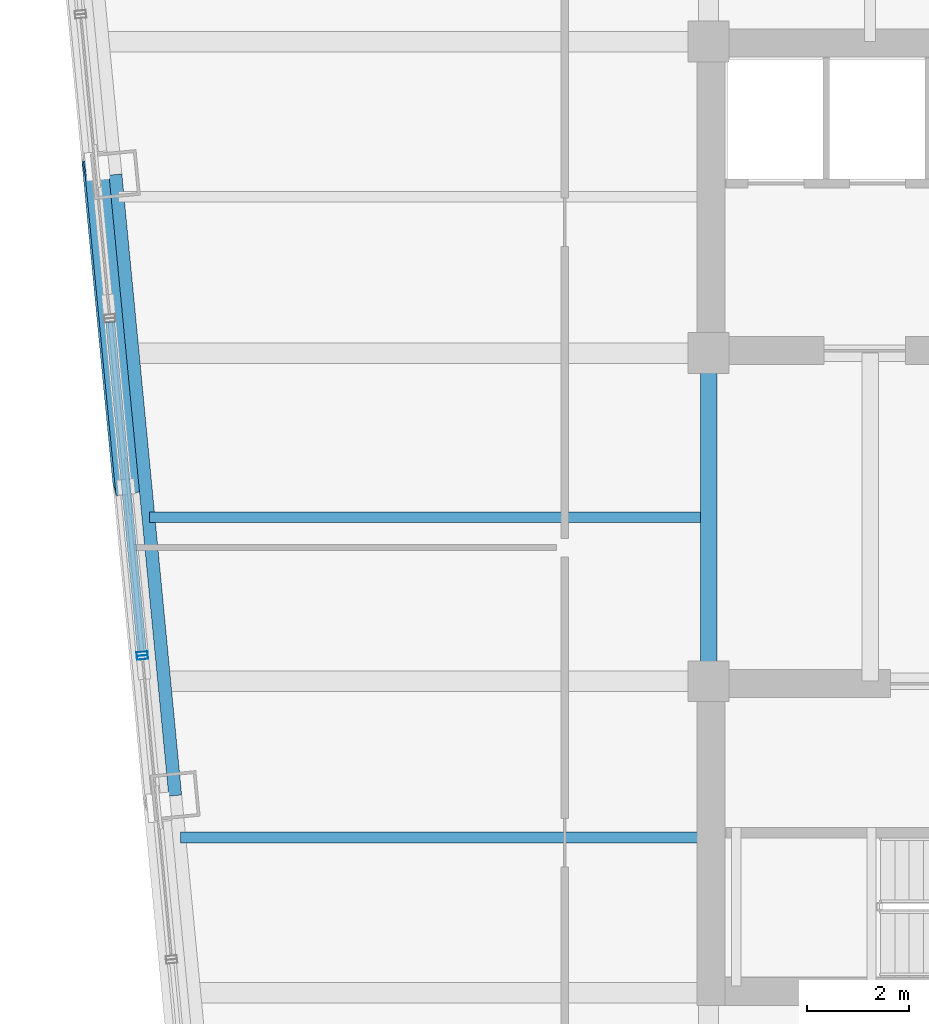
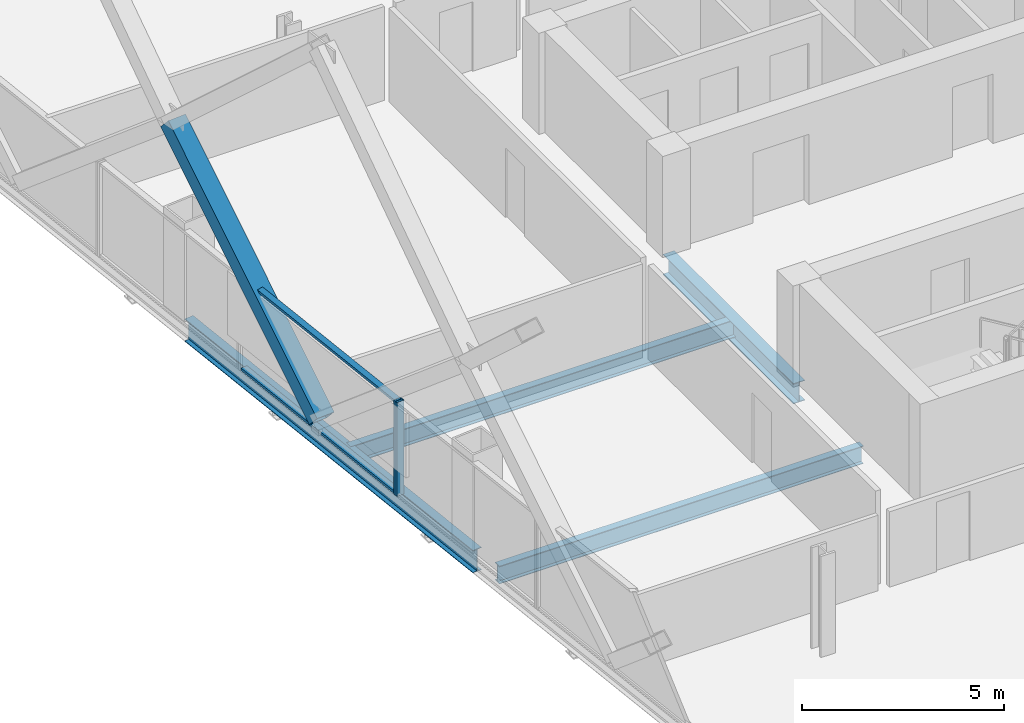
# One storey, part 9 of 32: 5 members, 4 beams, 2 elements without a shape of their own.
"""IFC4 building model written with IfcOpenShell, lengths in metres."""

from ifc_helpers import new_model, si_unit, direction, frame, origin, origin_2d, place, context, subcontext, project, spatial, hollow_rectangle, i_section, extrude, material, layer, layer_set, material_profile, profile_set, type_object, element, aggregate, save


model = new_model("IFC4")

# Units and contexts
model_context = context("Model", 3, precision=1e-05, world=origin(), true_north=direction((0.0, 1.0)))
body_context = subcontext(model_context, "Body", "Model", "MODEL_VIEW")
ifc_project = project(units=[si_unit("LENGTHUNIT", "METRE"), si_unit("AREAUNIT", "SQUARE_METRE"), si_unit("VOLUMEUNIT", "CUBIC_METRE"), si_unit("PLANEANGLEUNIT", "RADIAN"), si_unit("MASSUNIT", "GRAM", prefix="KILO")], contexts=[model_context])

# Site, building, storey
site_placement = place(None, origin())
site = spatial("IfcSite", under=ifc_project, at=site_placement, CompositionType="ELEMENT")
building_placement = place(site_placement, origin())
building = spatial("IfcBuilding", under=site, at=building_placement, Name="Qhalaya Broadcast Tower", CompositionType="ELEMENT")
storey_placement = place(building_placement, frame((0.0, 0.0, 81.64990234375)))
storey = spatial("IfcBuildingStorey", under=building, at=storey_placement, Name="L23", CompositionType="ELEMENT", Elevation=81.64990234375)

# Beams
ifc_material_1 = material(Name="Structural Steel ASTM A992 Grade 50", Category="steel")
ifc_material_profile_1 = material_profile(ifc_material_1, i_section(OverallWidth=0.2099609375, OverallDepth=0.535888671875, WebThickness=0.010986328125, FlangeThickness=0.017333984375, at=origin_2d()), Name="W21X68")
ifc_profile_set_1 = profile_set([ifc_material_profile_1], Name="Structural Steel ASTM A992 Grade 50")
beam_type_1 = type_object("IfcBeamType", Name="Composite Floor Joist J02", PredefinedType="JOIST", material=ifc_profile_set_1)
beam_1_placement = place(storey_placement, frame((-19.76171875, -5.699951171875, -0.48779296875), z_axis=(1.0, 0.0, 0.0), x_axis=(0.0, 1.0, 0.0)))
element("IfcBeam", 1, at=beam_1_placement, inside=storey, type_object=beam_type_1, Name="L23 J02 L23-JWE3W-1", PredefinedType="JOIST", context=body_context, shape_type="SweptSolid", body=[
    extrude(i_section(OverallWidth=0.2099609375, OverallDepth=0.535888671875, WebThickness=0.010986328125, FlangeThickness=0.017333984375, at=origin_2d()), origin(), (0.0, 0.0, 1.0), 10.38671875),
])
beam_2_placement = place(storey_placement, frame((-20.368408203125, 0.60009765625, -0.48779296875), z_axis=(1.0, 0.0, 0.0), x_axis=(0.0, 1.0, 0.0)))
element("IfcBeam", 2, at=beam_2_placement, inside=storey, type_object=beam_type_1, Name="L23 J02 L23-JWE4W-1", PredefinedType="JOIST", context=body_context, shape_type="SweptSolid", body=[
    extrude(i_section(OverallWidth=0.2099609375, OverallDepth=0.535888671875, WebThickness=0.010986328125, FlangeThickness=0.017333984375, at=origin_2d()), origin(), (0.0, 0.0, 1.0), 10.993408203125),
])
ifc_material_profile_2 = material_profile(ifc_material_1, i_section(OverallWidth=0.323974609375, OverallDepth=0.612060546875, WebThickness=0.0126953125, FlangeThickness=0.01904296875, at=origin_2d()), Name="W24X104")
ifc_profile_set_2 = profile_set([ifc_material_profile_2], Name="Structural Steel ASTM A992 Grade 50")
beam_type_2 = type_object("IfcBeamType", Name="Core Frame Tie Beam B04", PredefinedType="BEAM", material=ifc_profile_set_2)
beam_3_placement = place(storey_placement, frame((-9.375, -2.625, -0.52587890625), z_axis=(0.0, 1.0, 0.0), x_axis=(-1.0, 0.0, 0.0)))
element("IfcBeam", 3, at=beam_3_placement, inside=storey, type_object=beam_type_2, Name="L23 B04 L23-CCW", PredefinedType="BEAM", context=body_context, shape_type="SweptSolid", body=[
    extrude(i_section(OverallWidth=0.323974609375, OverallDepth=0.612060546875, WebThickness=0.0126953125, FlangeThickness=0.01904296875, at=origin_2d()), origin(), (0.0, 0.0, 1.0), 6.449951171875),
])

# Member
ifc_material_2 = material(Name="Structural Steel ASTM A572 Grade 50", Category="steel")
ifc_material_profile_3 = material_profile(ifc_material_2, hollow_rectangle(XDim=0.419921875, YDim=0.550048828125, WallThickness=0.028076171875, at=origin_2d()), Name="BOX 420x550x28")
ifc_profile_set_3 = profile_set([ifc_material_profile_3], Name="Structural Steel ASTM A572 Grade 50")
member_type_1 = type_object("IfcMemberType", Name="Exoskeleton Diamond Diagonal Mid-Low EX2", PredefinedType="BRACE", material=ifc_profile_set_3)
member_1_placement = place(storey_placement, frame((-20.78759765625, 1.197509765625, 0.360107421875), z_axis=(-0.073037413912, 0.758637209183, 0.647406457345), x_axis=(0.157160868222, -0.632274975342, 0.758636155912)))
element("IfcMember", 4, at=member_1_placement, inside=storey, type_object=member_type_1, Name="B2 Exoskeleton Diamond Brace W2-D1", PredefinedType="BRACE", context=body_context, shape_type="SweptSolid", body=[
    extrude(hollow_rectangle(XDim=0.419921875, YDim=0.550048828125, WallThickness=0.028076171875, at=origin_2d()), origin(), (0.0, 0.0, 1.0), 8.309814453125),
])

# Beam
ifc_material_profile_4 = material_profile(ifc_material_1, i_section(OverallWidth=0.25390625, OverallDepth=0.68310546875, WebThickness=0.012451171875, FlangeThickness=0.01904296875, at=origin_2d()), Name="W27X94")
ifc_profile_set_4 = profile_set([ifc_material_profile_4], Name="Structural Steel ASTM A992 Grade 50")
beam_type_3 = type_object("IfcBeamType", Name="Perimeter Ring Spandrel Beam SP1", PredefinedType="SPANDREL", material=ifc_profile_set_4)
beam_4_placement = place(storey_placement, frame((-21.036865234375, 7.335205078125, -0.5615234375), z_axis=(0.095851586307, -0.99539563662, 0.0), x_axis=(0.99539563662, 0.095851586307, 0.0)))
element("IfcBeam", 5, at=beam_4_placement, inside=storey, type_object=beam_type_3, Name="L23 SP1 L23-SPR-14", PredefinedType="SPANDREL", context=body_context, shape_type="SweptSolid", body=[
    extrude(i_section(OverallWidth=0.25390625, OverallDepth=0.68310546875, WebThickness=0.012451171875, FlangeThickness=0.01904296875, at=origin_2d()), origin(), (0.0, 0.0, 1.0), 12.2666015625),
])

# Curtain wall, member
ifc_material_3 = material(Name="Fired Architectural Terracotta", Category="masonry")
ifc_layer_1 = layer(ifc_material_3, 0.219970703125, Name="Fired Architectural Terracotta")
ifc_layer_set_1 = layer_set([ifc_layer_1], Name="Fired Architectural Terracotta")
curtain_wall_type_1 = type_object("IfcCurtainWallType", Name="Block-Cap Unitised Terracotta Spandrel Wall CW-07", PredefinedType="NOTDEFINED", material=ifc_layer_set_1)
curtain_wall_1_placement = place(storey_placement, origin())
curtain_wall_1 = element("IfcCurtainWall", 6, at=curtain_wall_1_placement, inside=storey, type_object=curtain_wall_type_1, Name="L23 Unitised Curtain Wall L23-CW-W4", PredefinedType="NOTDEFINED")
ifc_material_4 = material(Name="Anodised Aluminium 6063-T6", Category="aluminium")
ifc_material_profile_5 = material_profile(ifc_material_4, hollow_rectangle(XDim=0.074951171875, YDim=0.219970703125, WallThickness=0.00390625, at=origin_2d()), Name="ALU-MUL 75x220x4")
ifc_profile_set_5 = profile_set([ifc_material_profile_5], Name="Anodised Aluminium 6063-T6")
member_type_2 = type_object("IfcMemberType", Name="Unitised Curtain-Wall Mullion M01", PredefinedType="MULLION", material=ifc_profile_set_5)
member_2_placement = place(storey_placement, frame((-20.511474609375, -2.08447265625, 0.0), z_axis=(0.0, 0.0, 1.0), x_axis=(0.095857417835, -0.995395075056, 0.0)))
member_2 = element("IfcMember", 7, at=member_2_placement, type_object=member_type_2, Name="CW-07 mullion 2", PredefinedType="MULLION", context=body_context, shape_type="SweptSolid", body=[
    extrude(hollow_rectangle(XDim=0.074951171875, YDim=0.219970703125, WallThickness=0.00390625, at=origin_2d()), origin(), (0.0, 0.0, 1.0), 2.830078125),
])

ifc_material_5 = material(Name="Solar-Control Low-E Triple Glazing", Category="glass")
ifc_layer_2 = layer(ifc_material_5, 0.219970703125, Name="Solar-Control Low-E Triple Glazing")
ifc_layer_set_2 = layer_set([ifc_layer_2], Name="Solar-Control Low-E Triple Glazing")
curtain_wall_type_2 = type_object("IfcCurtainWallType", Name="Even-Block 4-Storey Double-Module Curtain Wall CW-03", PredefinedType="NOTDEFINED", material=ifc_layer_set_2)
curtain_wall_2_placement = place(storey_placement, origin())
curtain_wall_2 = element("IfcCurtainWall", 8, at=curtain_wall_2_placement, inside=storey, type_object=curtain_wall_type_2, Name="L23 Unitised Curtain Wall L23-CW-W5", PredefinedType="NOTDEFINED")
member_3_placement = place(storey_placement, frame((-20.50439453125, -2.1591796875, 0.0), z_axis=(0.0, 0.0, 1.0), x_axis=(0.095835542837, -0.995397181395, 0.0)))
member_3 = element("IfcMember", 9, at=member_3_placement, type_object=member_type_2, Name="CW-03 mullion 1", PredefinedType="MULLION", context=body_context, shape_type="SweptSolid", body=[
    extrude(hollow_rectangle(XDim=0.074951171875, YDim=0.219970703125, WallThickness=0.00390625, at=origin_2d()), origin(), (0.0, 0.0, 1.0), 2.830078125),
])
aggregate(curtain_wall_2, [member_3])

# Member
ifc_material_profile_6 = material_profile(ifc_material_4, hollow_rectangle(XDim=0.074951171875, YDim=0.179931640625, WallThickness=0.00390625, at=origin_2d()), Name="ALU-TRN 75x180x4")
ifc_profile_set_6 = profile_set([ifc_material_profile_6], Name="Anodised Aluminium 6063-T6")
member_type_3 = type_object("IfcMemberType", Name="Unitised Curtain-Wall Transom T01", PredefinedType="USERDEFINED", material=ifc_profile_set_6)
member_4_placement = place(storey_placement, frame((-21.139404296875, 4.434814453125, 0.03759765625), z_axis=(0.095861705812, -0.995394662111, 0.0), x_axis=(0.0, 0.0, 1.0)))
member_4 = element("IfcMember", 10, at=member_4_placement, type_object=member_type_3, Name="CW-07 transom 1.1", ObjectType="TRANSOM", PredefinedType="USERDEFINED", context=body_context, shape_type="SweptSolid", body=[
    extrude(hollow_rectangle(XDim=0.074951171875, YDim=0.179931640625, WallThickness=0.00390625, at=origin_2d()), origin(), (0.0, 0.0, 1.0), 6.51220703125),
])

member_5_placement = place(storey_placement, frame((-21.139404296875, 4.434814453125, 2.79248046875), z_axis=(0.095861705812, -0.995394662111, 0.0), x_axis=(0.0, 0.0, 1.0)))
member_5 = element("IfcMember", 11, at=member_5_placement, type_object=member_type_3, Name="CW-07 transom 1.2", ObjectType="TRANSOM", PredefinedType="USERDEFINED", context=body_context, shape_type="SweptSolid", body=[
    extrude(hollow_rectangle(XDim=0.074951171875, YDim=0.179931640625, WallThickness=0.00390625, at=origin_2d()), origin(), (0.0, 0.0, 1.0), 6.51220703125),
])

aggregate(curtain_wall_1, [member_2, member_4, member_5])

save(model, "model.ifc")
